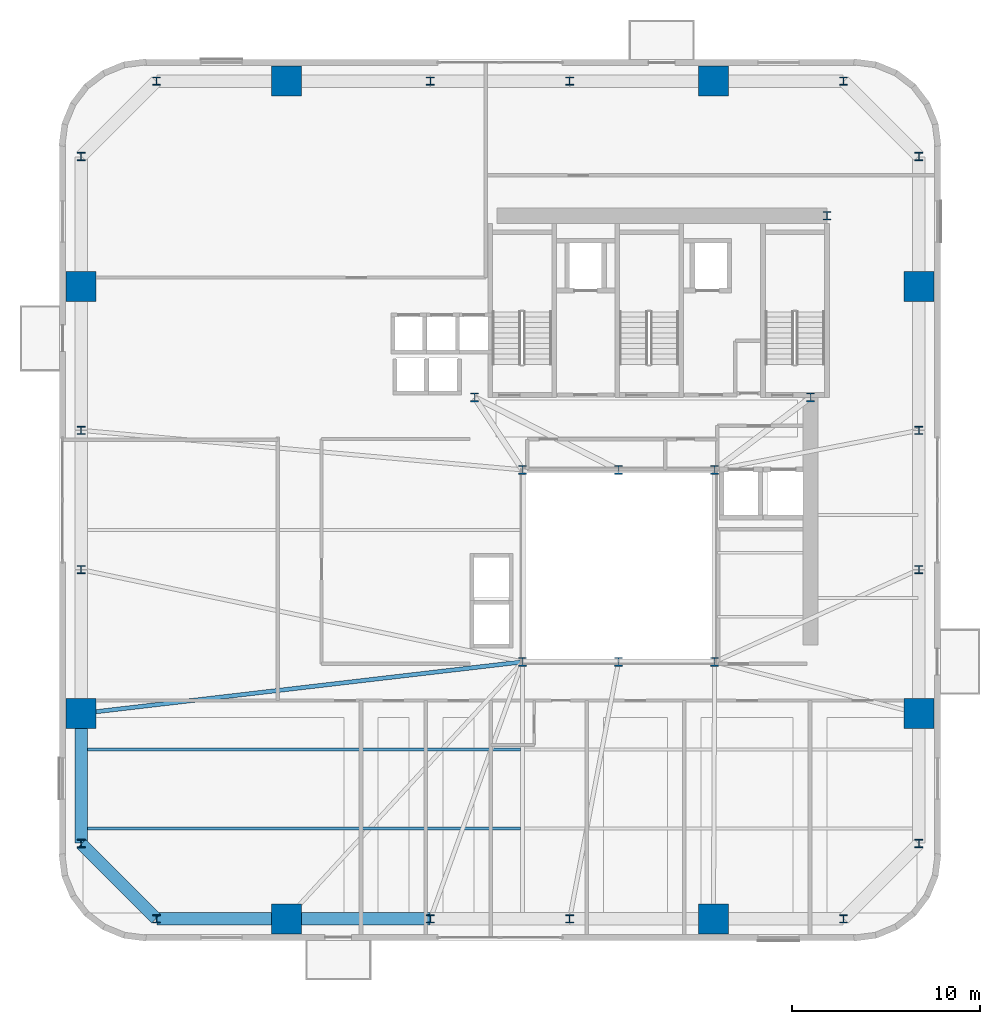
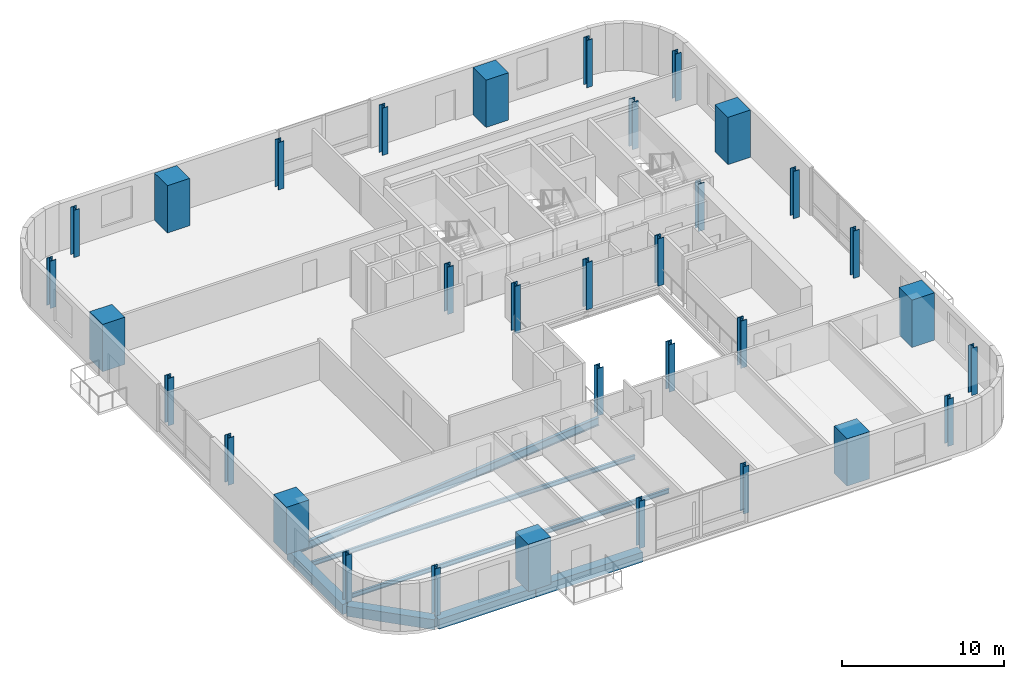
# One storey, part 1 of 14: 33 columns, 7 beams.
"""IFC4 building model written with IfcOpenShell, lengths in metres."""

from ifc_helpers import new_model, si_unit, direction, frame, origin, origin_2d, place, context, subcontext, project, spatial, rectangle, i_section, extrude, source, transform, mapped, material, material_profile, profile_set, type_object, element, save


model = new_model("IFC4")

# Units and contexts
model_context = context("Model", 3, precision=1e-05, world=origin(), true_north=direction((0.0, 1.0)))
body_context = subcontext(model_context, "Body", "Model", "MODEL_VIEW")
ifc_project = project(units=[si_unit("LENGTHUNIT", "METRE"), si_unit("AREAUNIT", "SQUARE_METRE"), si_unit("VOLUMEUNIT", "CUBIC_METRE"), si_unit("PLANEANGLEUNIT", "RADIAN"), si_unit("MASSUNIT", "GRAM", prefix="KILO")], contexts=[model_context])

# Site, building, storey
site_placement = place(None, origin())
site = spatial("IfcSite", under=ifc_project, at=site_placement, CompositionType="ELEMENT")
building_placement = place(site_placement, origin())
building = spatial("IfcBuilding", under=site, at=building_placement, Name="Vardaveli Station Tower", CompositionType="ELEMENT")
storey_placement = place(building_placement, frame((0.0, 0.0, 107.5)))
storey = spatial("IfcBuildingStorey", under=building, at=storey_placement, Name="L27", CompositionType="ELEMENT", Elevation=107.5)

# Columns
ifc_material_1 = material(Name="Structural steel S460M", Category="steel")
ifc_material_profile_1 = material_profile(ifc_material_1, i_section(OverallWidth=0.424072265625, OverallDepth=0.465087890625, WebThickness=0.034912109375, FlangeThickness=0.055908203125, FilletRadius=0.014892578125, at=origin_2d()), Name="HD 400x592")
ifc_profile_set_1 = profile_set([ifc_material_profile_1], Name="Structural steel S460M")
column_type_1 = type_object("IfcColumnType", Name="COL-HD592", PredefinedType="COLUMN", material=ifc_profile_set_1)
shared_shape_1 = source(origin(), body_context, "Body", "SweptSolid", [
    extrude(i_section(OverallWidth=0.424072265625, OverallDepth=0.465087890625, WebThickness=0.034912109375, FlangeThickness=0.055908203125, FilletRadius=0.014892578125, at=origin_2d()), origin(), (0.0, 0.0, 1.0), 3.56005859375),
])
for number, where, z_axis, x_axis, name in (
    (1, (31.199951171875, 16.60009765625, 0.0), (0.0, 0.0, 1.0), (1.0, 0.0, 0.0), "COL-L27-AC1"),
    (2, (36.300048828125, 16.60009765625, 0.0), (0.0, 0.0, 1.0), (1.0, 0.0, 0.0), "COL-L27-AC2"),
    (3, (41.39990234375, 16.60009765625, 0.0), (0.0, 0.0, 1.0), (1.0, 0.0, 0.0), "COL-L27-AC3"),
    (4, (41.39990234375, 26.800048828125, 0.0), (0.0, 0.0, 1.0), (1.0, 0.0, 0.0), "COL-L27-AC4"),
    (5, (36.300048828125, 26.800048828125, 0.0), (0.0, 0.0, 1.0), (1.0, 0.0, 0.0), "COL-L27-AC5"),
    (6, (31.199951171875, 26.800048828125, 0.0), (0.0, 0.0, 1.0), (1.0, 0.0, 0.0), "COL-L27-AC6"),
    (7, (28.64990234375, 30.64990234375, 0.0), (0.0, 0.0, 1.0), (1.0, 0.0, 0.0), "COL-L27-CC1"),
    (8, (46.5, 30.64990234375, 0.0), (0.0, 0.0, 1.0), (1.0, 0.0, 0.0), "COL-L27-CC2"),
    (9, (47.3701171875, 40.300048828125, 0.0), (0.0, 0.0, 1.0), (1.0, 0.0, 0.0), "COL-L27-CC3"),
):
    element("IfcColumn", number, at=place(storey_placement, frame(where, z_axis=z_axis, x_axis=x_axis)), inside=storey, type_object=column_type_1, Name=name, PredefinedType="COLUMN", context=body_context, shape_type="MappedRepresentation", body=[
        mapped(shared_shape_1, transform((0.0, 0.0, 0.0), scale=1.0)),
    ])
ifc_material_2 = material(Name="Concrete C60/75", Category="concrete")
ifc_material_profile_2 = material_profile(ifc_material_2, rectangle(XDim=1.60009765625, YDim=1.60009765625, at=origin_2d()), Name="MC 1600x1600")
ifc_profile_set_2 = profile_set([ifc_material_profile_2], Name="Concrete C60/75")
column_type_2 = type_object("IfcColumnType", Name="COL-MC-1600", PredefinedType="COLUMN", material=ifc_profile_set_2)
shared_shape_2 = source(origin(), body_context, "Body", "SweptSolid", [
    extrude(rectangle(XDim=1.60009765625, YDim=1.60009765625, at=origin_2d()), origin(), (0.0, 0.0, 1.0), 3.56005859375),
])
for number, where, z_axis, x_axis, name in (
    (10, (18.659912109375, 2.949951171875, 0.0), (0.0, 0.0, 1.0), (1.0, 0.0, 0.0), "COL-L27-MC1"),
    (11, (41.340087890625, 2.949951171875, 0.0), (0.0, 0.0, 1.0), (1.0, 0.0, 0.0), "COL-L27-MC2"),
    (12, (52.25, 13.860107421875, 0.0), (0.0, 0.0, 1.0), (1.0, 0.0, 0.0), "COL-L27-MC3"),
    (13, (52.25, 36.5400390625, 0.0), (0.0, 0.0, 1.0), (1.0, 0.0, 0.0), "COL-L27-MC4"),
    (14, (41.340087890625, 47.449951171875, 0.0), (0.0, 0.0, 1.0), (1.0, 0.0, 0.0), "COL-L27-MC5"),
    (15, (18.659912109375, 47.449951171875, 0.0), (0.0, 0.0, 1.0), (1.0, 0.0, 0.0), "COL-L27-MC6"),
    (16, (7.75, 36.5400390625, 0.0), (0.0, 0.0, 1.0), (1.0, 0.0, 0.0), "COL-L27-MC7"),
    (17, (7.75, 13.860107421875, 0.0), (0.0, 0.0, 1.0), (1.0, 0.0, 0.0), "COL-L27-MC8"),
):
    element("IfcColumn", number, at=place(storey_placement, frame(where, z_axis=z_axis, x_axis=x_axis)), inside=storey, type_object=column_type_2, Name=name, PredefinedType="COLUMN", context=body_context, shape_type="MappedRepresentation", body=[
        mapped(shared_shape_2, transform((0.0, 0.0, 0.0), scale=1.0)),
    ])
ifc_material_profile_3 = material_profile(ifc_material_1, i_section(OverallWidth=0.4140625, OverallDepth=0.431884765625, WebThickness=0.025634765625, FlangeThickness=0.0400390625, FilletRadius=0.014892578125, at=origin_2d()), Name="HD 400x421")
ifc_profile_set_3 = profile_set([ifc_material_profile_3], Name="Structural steel S460M")
column_type_3 = type_object("IfcColumnType", Name="COL-HD421", PredefinedType="COLUMN", material=ifc_profile_set_3)
shared_shape_3 = source(origin(), body_context, "Body", "SweptSolid", [
    extrude(i_section(OverallWidth=0.4140625, OverallDepth=0.431884765625, WebThickness=0.025634765625, FlangeThickness=0.0400390625, FilletRadius=0.014892578125, at=origin_2d()), origin(), (0.0, 0.0, 1.0), 3.56005859375),
])
for number, where, z_axis, x_axis, name in (
    (18, (11.75, 2.949951171875, 0.0), (0.0, 0.0, 1.0), (1.0, 0.0, 0.0), "COL-L27-PC01"),
    (19, (26.300048828125, 2.949951171875, 0.0), (0.0, 0.0, 1.0), (1.0, 0.0, 0.0), "COL-L27-PC02"),
    (20, (33.699951171875, 2.949951171875, 0.0), (0.0, 0.0, 1.0), (1.0, 0.0, 0.0), "COL-L27-PC03"),
    (21, (48.25, 2.949951171875, 0.0), (0.0, 0.0, 1.0), (1.0, 0.0, 0.0), "COL-L27-PC04"),
    (22, (52.25, 6.949951171875, 0.0), (0.0, 0.0, 1.0), (1.0, 0.0, 0.0), "COL-L27-PC05"),
    (23, (52.25, 21.5, 0.0), (0.0, 0.0, 1.0), (1.0, 0.0, 0.0), "COL-L27-PC06"),
    (24, (52.25, 28.89990234375, 0.0), (0.0, 0.0, 1.0), (1.0, 0.0, 0.0), "COL-L27-PC07"),
    (25, (52.25, 43.449951171875, 0.0), (0.0, 0.0, 1.0), (1.0, 0.0, 0.0), "COL-L27-PC08"),
    (26, (48.25, 47.449951171875, 0.0), (0.0, 0.0, 1.0), (1.0, 0.0, 0.0), "COL-L27-PC09"),
    (27, (33.699951171875, 47.449951171875, 0.0), (0.0, 0.0, 1.0), (1.0, 0.0, 0.0), "COL-L27-PC10"),
    (28, (26.300048828125, 47.449951171875, 0.0), (0.0, 0.0, 1.0), (1.0, 0.0, 0.0), "COL-L27-PC11"),
    (29, (11.75, 47.449951171875, 0.0), (0.0, 0.0, 1.0), (1.0, 0.0, 0.0), "COL-L27-PC12"),
    (30, (7.75, 43.449951171875, 0.0), (0.0, 0.0, 1.0), (1.0, 0.0, 0.0), "COL-L27-PC13"),
    (31, (7.75, 28.89990234375, 0.0), (0.0, 0.0, 1.0), (1.0, 0.0, 0.0), "COL-L27-PC14"),
    (32, (7.75, 21.5, 0.0), (0.0, 0.0, 1.0), (1.0, 0.0, 0.0), "COL-L27-PC15"),
    (33, (7.75, 6.949951171875, 0.0), (0.0, 0.0, 1.0), (1.0, 0.0, 0.0), "COL-L27-PC16"),
):
    element("IfcColumn", number, at=place(storey_placement, frame(where, z_axis=z_axis, x_axis=x_axis)), inside=storey, type_object=column_type_3, Name=name, PredefinedType="COLUMN", context=body_context, shape_type="MappedRepresentation", body=[
        mapped(shared_shape_3, transform((0.0, 0.0, 0.0), scale=1.0)),
    ])

# Beams
ifc_material_3 = material(Name="Precast concrete C45/55", Category="concrete")
ifc_material_profile_4 = material_profile(ifc_material_3, rectangle(XDim=0.64990234375, YDim=0.75, at=origin_2d()), Name="LPB 650x750")
ifc_profile_set_4 = profile_set([ifc_material_profile_4], Name="Precast concrete C45/55")
beam_type_1 = type_object("IfcBeamType", Name="BM-LPB-750", PredefinedType="BEAM", material=ifc_profile_set_4)
shared_shape_4 = source(origin(), body_context, "Body", "SweptSolid", [
    extrude(rectangle(XDim=0.64990234375, YDim=0.75, at=origin_2d()), origin(), (0.0, 0.0, 1.0), 7.60009765625),
])
beam_1_placement = place(storey_placement, frame((18.679931640625, 2.949951171875, -0.614990234375), z_axis=(1.0, 0.0, 0.0), x_axis=(0.0, 1.0, 0.0)))
element("IfcBeam", 34, at=beam_1_placement, inside=storey, type_object=beam_type_1, Name="RBM-L27-01", PredefinedType="BEAM", context=body_context, shape_type="MappedRepresentation", body=[
    mapped(shared_shape_4, transform((0.0, 0.0, 0.0), scale=1.0)),
])
shared_shape_5 = source(origin(), body_context, "Body", "SweptSolid", [
    extrude(rectangle(XDim=0.64990234375, YDim=0.75, at=origin_2d()), origin(), (0.0, 0.0, 1.0), 6.869873046875),
])
beam_2_placement = place(storey_placement, frame((11.77001953125, 2.949951171875, -0.614990234375), z_axis=(1.0, 0.0, 0.0), x_axis=(0.0, 1.0, 0.0)))
element("IfcBeam", 35, at=beam_2_placement, inside=storey, type_object=beam_type_1, Name="RBM-L27-24", PredefinedType="BEAM", context=body_context, shape_type="MappedRepresentation", body=[
    mapped(shared_shape_5, transform((0.0, 0.0, 0.0), scale=1.0)),
])
shared_shape_6 = source(origin(), body_context, "Body", "SweptSolid", [
    extrude(rectangle(XDim=0.64990234375, YDim=0.75, at=origin_2d()), origin(), (0.0, 0.0, 1.0), 5.61669921875),
])
beam_3_placement = place(storey_placement, frame((7.76416015625, 6.935791015625, -0.614990234375), z_axis=(0.707106781187, -0.707106781187, 0.0), x_axis=(0.707106781187, 0.707106781187, 0.0)))
element("IfcBeam", 36, at=beam_3_placement, inside=storey, type_object=beam_type_1, Name="RBM-L27-23", PredefinedType="BEAM", context=body_context, shape_type="MappedRepresentation", body=[
    mapped(shared_shape_6, transform((0.0, 0.0, 0.0), scale=1.0)),
])
shared_shape_7 = source(origin(), body_context, "Body", "SweptSolid", [
    extrude(rectangle(XDim=0.64990234375, YDim=0.75, at=origin_2d()), origin(), (0.0, 0.0, 1.0), 6.8701171875),
])
beam_4_placement = place(storey_placement, frame((7.75, 13.840087890625, -0.614990234375), z_axis=(0.0, -1.0, 0.0), x_axis=(1.0, 0.0, 0.0)))
element("IfcBeam", 37, at=beam_4_placement, inside=storey, type_object=beam_type_1, Name="RBM-L27-22", PredefinedType="BEAM", context=body_context, shape_type="MappedRepresentation", body=[
    mapped(shared_shape_7, transform((0.0, 0.0, 0.0), scale=1.0)),
])
ifc_material_4 = material(Name="Structural steel S355J2", Category="steel")
ifc_material_profile_5 = material_profile(ifc_material_4, i_section(OverallWidth=0.159912109375, OverallDepth=0.330078125, WebThickness=0.007568359375, FlangeThickness=0.011474609375, FilletRadius=0.01806640625, at=origin_2d()), Name="IPE 330")
ifc_profile_set_5 = profile_set([ifc_material_profile_5], Name="Structural steel S355J2")
beam_type_2 = type_object("IfcBeamType", Name="BM-IPE330", PredefinedType="JOIST", material=ifc_profile_set_5)
shared_shape_8 = source(origin(), body_context, "Body", "SweptSolid", [
    extrude(i_section(OverallWidth=0.159912109375, OverallDepth=0.330078125, WebThickness=0.007568359375, FlangeThickness=0.011474609375, FilletRadius=0.01806640625, at=origin_2d()), origin(), (0.0, 0.0, 1.0), 23.2978515625),
])
for number, where, z_axis, x_axis, name in (
    (38, (7.7900390625, 7.75, -0.405029296875), (1.0, 0.0, 0.0), (0.0, 1.0, 0.0), "SJ-L27-S01"),
    (39, (7.7900390625, 11.949951171875, -0.405029296875), (1.0, 0.0, 0.0), (0.0, 1.0, 0.0), "SJ-L27-S03"),
):
    element("IfcBeam", number, at=place(storey_placement, frame(where, z_axis=z_axis, x_axis=x_axis)), inside=storey, type_object=beam_type_2, Name=name, PredefinedType="JOIST", context=body_context, shape_type="MappedRepresentation", body=[
        mapped(shared_shape_8, transform((0.0, 0.0, 0.0), scale=1.0)),
    ])
ifc_material_profile_6 = material_profile(ifc_material_4, i_section(OverallWidth=0.219970703125, OverallDepth=0.60009765625, WebThickness=0.011962890625, FlangeThickness=0.01904296875, FilletRadius=0.02392578125, at=origin_2d()), Name="IPE 600")
ifc_profile_set_6 = profile_set([ifc_material_profile_6], Name="Structural steel S355J2")
beam_type_3 = type_object("IfcBeamType", Name="BM-IPE600", PredefinedType="BEAM", material=ifc_profile_set_6)
shared_shape_9 = source(origin(), body_context, "Body", "SweptSolid", [
    extrude(i_section(OverallWidth=0.219970703125, OverallDepth=0.60009765625, WebThickness=0.011962890625, FlangeThickness=0.01904296875, FilletRadius=0.02392578125, at=origin_2d()), origin(), (0.0, 0.0, 1.0), 23.569580078125),
])
beam_5_placement = place(storey_placement, frame((7.769775390625, 13.8623046875, -0.5400390625), z_axis=(0.993242915589, 0.11605391261, 0.0), x_axis=(-0.11605391261, 0.993242915589, 0.0)))
element("IfcBeam", 40, at=beam_5_placement, inside=storey, type_object=beam_type_3, Name="GBM-L27-10", PredefinedType="BEAM", context=body_context, shape_type="MappedRepresentation", body=[
    mapped(shared_shape_9, transform((0.0, 0.0, 0.0), scale=1.0)),
])

save(model, "model.ifc")
